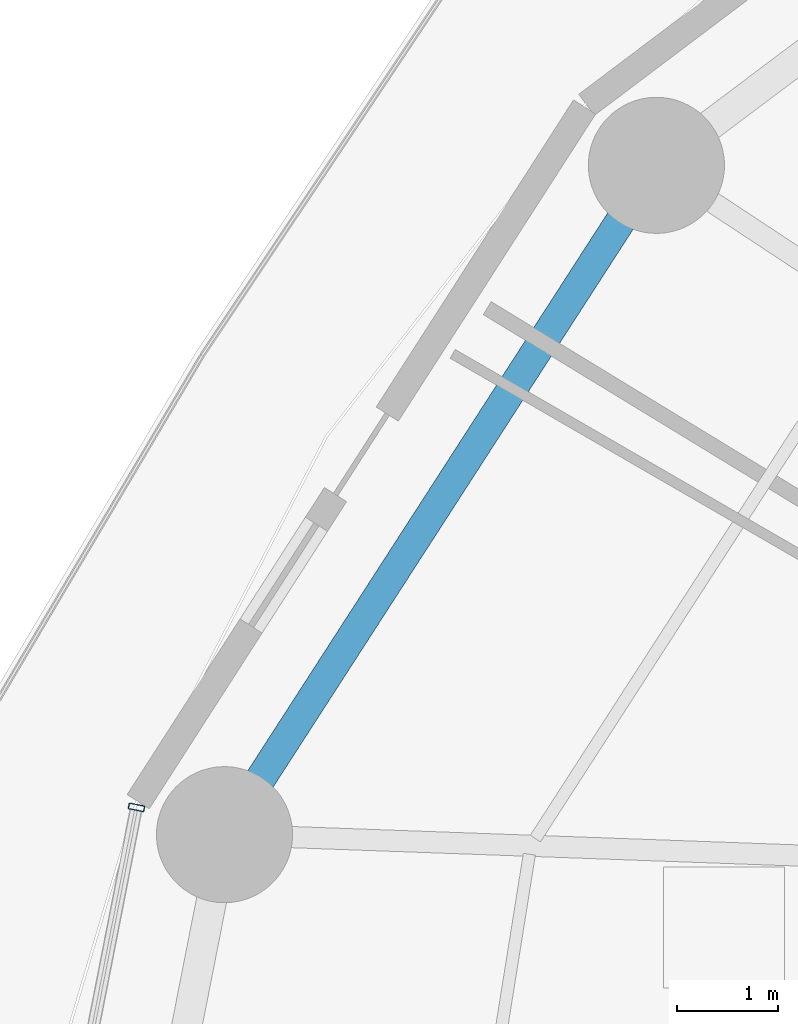
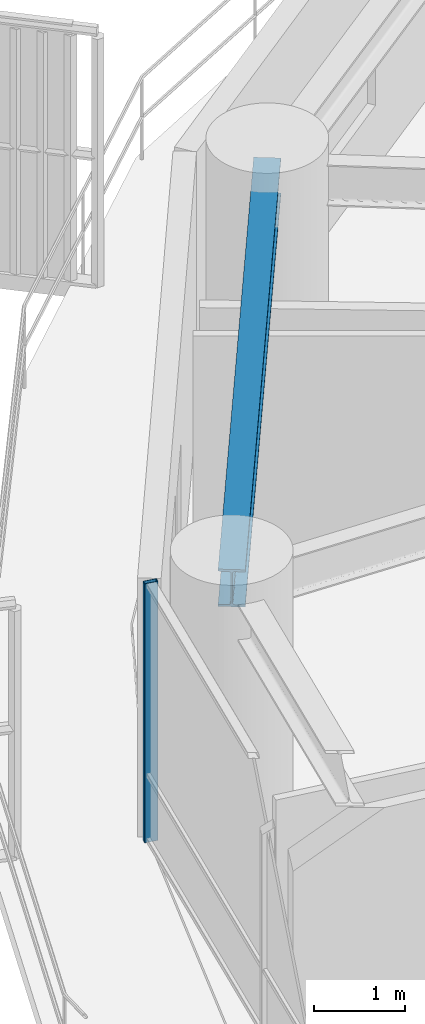
# One storey, part 17 of 35: 1 beam, 1 member, 1 element without a shape of its own.
"""IFC4 building model written with IfcOpenShell, lengths in metres."""

from ifc_helpers import new_model, si_unit, direction, frame, origin, origin_2d, place, context, subcontext, project, spatial, hollow_rectangle, i_section, extrude, material, layer, layer_set, material_profile, profile_set, type_object, element, aggregate, save


model = new_model("IFC4")

# Units and contexts
model_context = context("Model", 3, precision=1e-05, world=origin(), true_north=direction((0.0, 1.0)))
body_context = subcontext(model_context, "Body", "Model", "MODEL_VIEW")
ifc_project = project(units=[si_unit("LENGTHUNIT", "METRE"), si_unit("AREAUNIT", "SQUARE_METRE"), si_unit("VOLUMEUNIT", "CUBIC_METRE"), si_unit("PLANEANGLEUNIT", "RADIAN"), si_unit("MASSUNIT", "GRAM", prefix="KILO")], contexts=[model_context])

# Site, building, storey
site_placement = place(None, origin())
site = spatial("IfcSite", under=ifc_project, at=site_placement, CompositionType="ELEMENT")
building_placement = place(site_placement, origin())
building = spatial("IfcBuilding", under=site, at=building_placement, Name="Kelanora Arch Commons", CompositionType="ELEMENT")
storey_placement = place(building_placement, frame((0.0, 0.0, 91.35009765625)))
storey = spatial("IfcBuildingStorey", under=building, at=storey_placement, Name="L23", CompositionType="ELEMENT", Elevation=91.35009765625)

# Beam
ifc_material_1 = material(Name="Steel S355", Category="steel")
ifc_material_profile_1 = material_profile(ifc_material_1, i_section(OverallWidth=0.300048828125, OverallDepth=0.5, WebThickness=0.014404296875, FlangeThickness=0.028076171875, FilletRadius=0.027099609375, at=origin_2d()), Name="HEB500")
ifc_profile_set_1 = profile_set([ifc_material_profile_1], Name="Steel S355")
beam_type = type_object("IfcBeamType", Name="BM-SPN-Z2", PredefinedType="SPANDREL", material=ifc_profile_set_1)
beam_placement = place(storey_placement, frame((55.093994140625, 72.19287109375, 3.239990234375), z_axis=(-0.542221144054, -0.840235818649, 0.0), x_axis=(0.840235818649, -0.542221144054, 0.0)))
element("IfcBeam", 1, at=beam_placement, inside=storey, type_object=beam_type, Name="Perimeter Spandrel Beam BS-14 L23", PredefinedType="SPANDREL", context=body_context, shape_type="SweptSolid", body=[
    extrude(i_section(OverallWidth=0.300048828125, OverallDepth=0.5, WebThickness=0.014404296875, FlangeThickness=0.028076171875, FilletRadius=0.027099609375, at=origin_2d()), origin(), (0.0, 0.0, 1.0), 7.90380859375),
])

# Curtain wall, member
ifc_material_2 = material(Name="Terracotta ceramic-fritted low-E glass and aluminium", Category="masonry")
ifc_layer = layer(ifc_material_2, 0.159912109375)
ifc_layer_set = layer_set([ifc_layer], Name="Terracotta ceramic-fritted low-E glass and aluminium")
curtain_wall_type = type_object("IfcCurtainWallType", Name="CW-SYS-01", PredefinedType="NOTDEFINED", material=ifc_layer_set)
curtain_wall_placement = place(storey_placement, origin())
curtain_wall = element("IfcCurtainWall", 2, at=curtain_wall_placement, inside=storey, type_object=curtain_wall_type, Name="Unitised Curtain Wall L23-B08", PredefinedType="NOTDEFINED")
ifc_material_3 = material(Name="Powder-coated aluminium terracotta", Category="masonry")
ifc_material_profile_2 = material_profile(ifc_material_3, hollow_rectangle(XDim=0.159912109375, YDim=0.06005859375, WallThickness=0.0048828125, InnerFilletRadius=0.0048828125, OuterFilletRadius=0.010009765625, at=origin_2d()), Name="CWM160x60")
ifc_profile_set_2 = profile_set([ifc_material_profile_2], Name="Powder-coated aluminium terracotta")
member_type = type_object("IfcMemberType", Name="CWM-STD", PredefinedType="MULLION", material=ifc_profile_set_2)
member_placement = place(storey_placement, frame((49.935302734375, 65.822265625, 0.0), z_axis=(0.0, 0.0, 1.0), x_axis=(0.981280311646, -0.192584916272, 0.0)))
member = element("IfcMember", 3, at=member_placement, type_object=member_type, Name="CW-01 mullion 1", PredefinedType="MULLION", context=body_context, shape_type="SweptSolid", body=[
    extrude(hollow_rectangle(XDim=0.159912109375, YDim=0.06005859375, WallThickness=0.0048828125, InnerFilletRadius=0.0048828125, OuterFilletRadius=0.010009765625, at=origin_2d()), origin(), (0.0, 0.0, 1.0), 3.474853515625),
])
aggregate(curtain_wall, [member])

save(model, "model.ifc")
